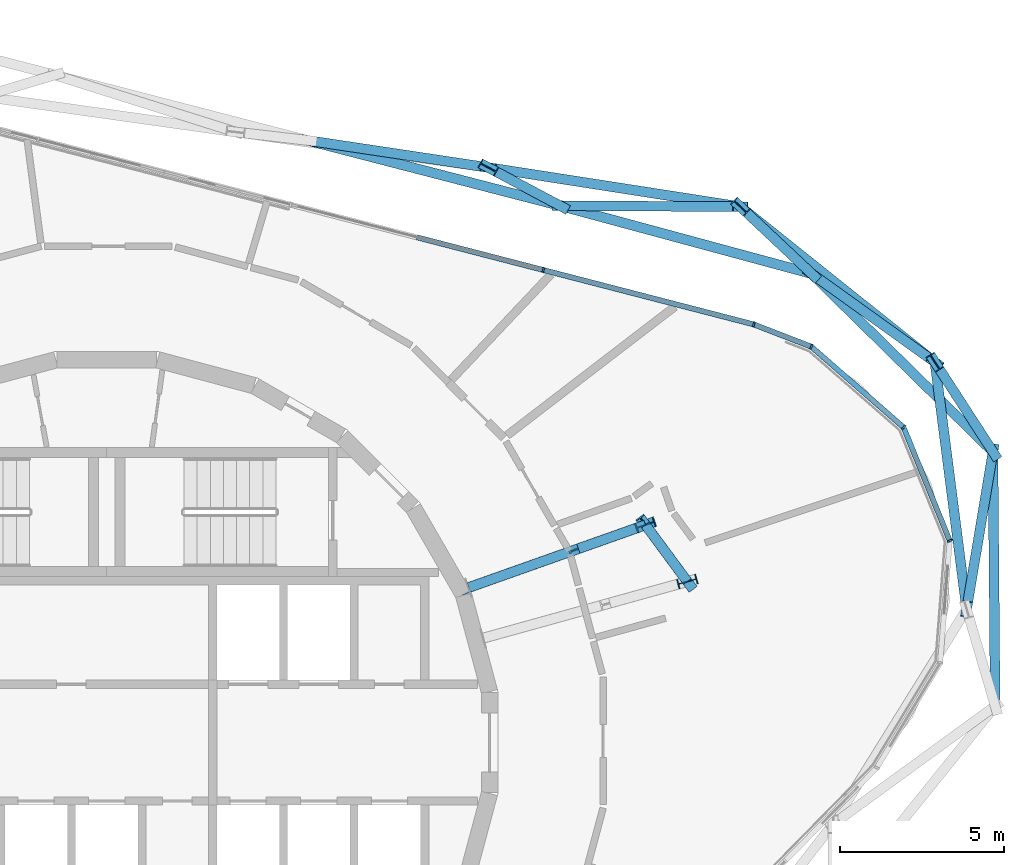
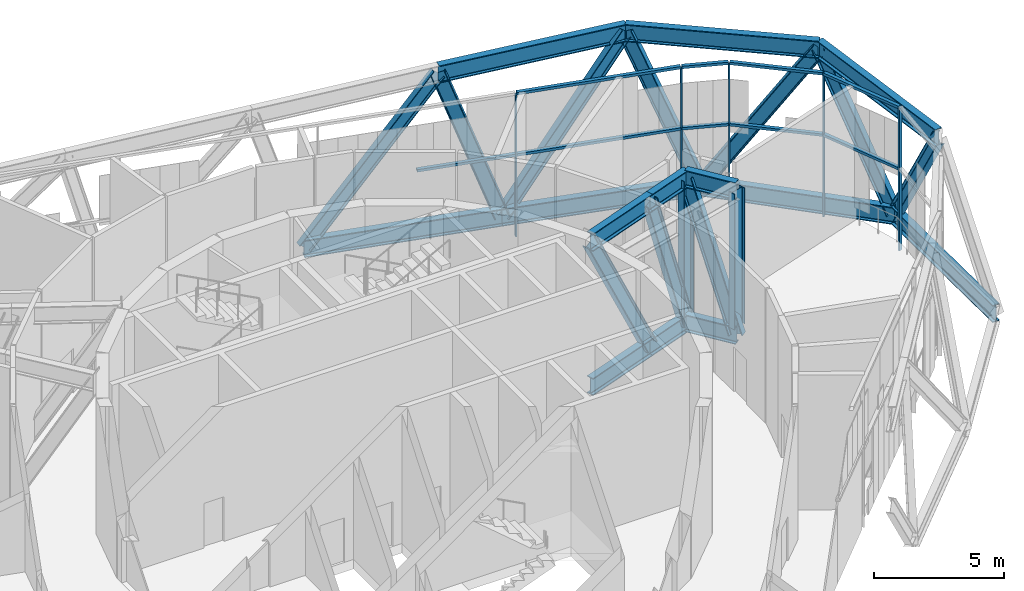
# One storey, part 7 of 23: 39 members, 2 elements without a shape of their own.
"""IFC4 building model written with IfcOpenShell, lengths in metres."""

import ifcopenshell
import ifcopenshell.guid

model = None  # the IFC model being written
_history = None  # IfcOwnerHistory: only IFC2X3 demands one
_inside = {}  # id of a spatial element -> (the spatial element, [elements in it])
_under = {}  # id of a project, library or spatial element -> (it, [spatial elements below it])
_declared = {}  # id of a project -> (the project, [libraries it declares])
_typed = {}  # id of a type object -> (the type object, [elements of that type])
_made_of = {}  # id of a material, layer set ... -> (it, [elements and type objects made of it])


def new_model(schema):
    """Start an empty IFC model of exactly this schema.

    Asked for "IFC4X3", IfcOpenShell would pick the latest addendum, in which some entities
    have other attributes; the version numbers below select the first issue.
    IFC2X3 requires an IfcOwnerHistory on every rooted entity: one is made here for all.
    """
    global model, _history
    if schema == "IFC4X3":
        model = ifcopenshell.file(schema_version=(4, 3, 0, 0))
    else:
        model = ifcopenshell.file(schema=schema)
    _inside.clear()
    _under.clear()
    _declared.clear()
    _typed.clear()
    _made_of.clear()
    _history = None
    if model.schema == "IFC2X3":
        org = make("IfcOrganization", Name="unknown")
        user = make(
            "IfcPersonAndOrganization",
            ThePerson=make("IfcPerson", FamilyName="unknown"),
            TheOrganization=org,
        )
        app = make(
            "IfcApplication",
            ApplicationDeveloper=org,
            Version="unknown",
            ApplicationFullName="unknown",
            ApplicationIdentifier="unknown",
        )
        _history = make(
            "IfcOwnerHistory",
            OwningUser=user,
            OwningApplication=app,
            ChangeAction="ADDED",
            CreationDate=0,
        )
    return model


def make(cls, **values):
    """One entity of the class cls with the attributes given. An attribute that is None is left unset."""
    return model.create_entity(
        cls, **{name: value for name, value in values.items() if value is not None}
    )


def rooted(cls, **values):
    """An entity with a GlobalId (a new one), such as an element, a storey or a relation."""
    return make(cls, GlobalId=ifcopenshell.guid.new(), OwnerHistory=_history, **values)


def si_unit(unit_type, name, prefix=None):
    """IfcSIUnit, for example si_unit("LENGTHUNIT", "METRE", prefix="MILLI")."""
    return make("IfcSIUnit", UnitType=unit_type, Prefix=prefix, Name=name)


def assignment(units):
    """IfcUnitAssignment: the units of a project."""
    return None if units is None else make("IfcUnitAssignment", Units=units)


def point(xyz):
    """IfcCartesianPoint."""
    return None if xyz is None else make("IfcCartesianPoint", Coordinates=xyz)


def direction(xyz):
    """IfcDirection."""
    return None if xyz is None else make("IfcDirection", DirectionRatios=xyz)


def frame(location, z_axis=None, x_axis=None):
    """IfcAxis2Placement3D, a coordinate frame: its origin and axes. An axis left out is left unset."""
    return make(
        "IfcAxis2Placement3D",
        Location=point(location),
        Axis=direction(z_axis),
        RefDirection=direction(x_axis),
    )


def frame_2d(location, x_axis=None):
    """IfcAxis2Placement2D, a coordinate frame in the plane: its origin and x axis."""
    return make(
        "IfcAxis2Placement2D", Location=point(location), RefDirection=direction(x_axis)
    )


def origin():
    """The frame at (0, 0, 0) with its axes left unset."""
    return frame((0.0, 0.0, 0.0))


def origin_2d():
    """The frame at (0, 0) in the plane with its x axis left unset."""
    return frame_2d((0.0, 0.0))


def place(relative_to, where):
    """IfcLocalPlacement: puts the frame where relative to a parent placement (None: the world)."""
    return make(
        "IfcLocalPlacement", PlacementRelTo=relative_to, RelativePlacement=where
    )


def context(
    kind, dimensions, precision=None, world=None, true_north=None, identifier=None
):
    """IfcGeometricRepresentationContext, for example the 3D "Model" context."""
    return make(
        "IfcGeometricRepresentationContext",
        ContextIdentifier=identifier,
        ContextType=kind,
        CoordinateSpaceDimension=dimensions,
        Precision=precision,
        WorldCoordinateSystem=world,
        TrueNorth=true_north,
    )


def subcontext(parent, identifier, kind, view, scale=None):
    """IfcGeometricRepresentationSubContext, for example "Body" below "Model"."""
    return make(
        "IfcGeometricRepresentationSubContext",
        ContextIdentifier=identifier,
        ContextType=kind,
        ParentContext=parent,
        TargetScale=scale,
        TargetView=view,
    )


def project(units=None, contexts=None):
    """IfcProject with its units and contexts."""
    return rooted(
        "IfcProject",
        Name="project",
        RepresentationContexts=contexts,
        UnitsInContext=assignment(units),
    )


def spatial(cls, under=None, at=None, **own):
    """A site, building, storey or space (cls), placed at a placement, below another one or the project."""
    s = rooted(cls, ObjectPlacement=at, **own)
    if under is not None:
        _under.setdefault(under.id(), (under, []))[1].append(s)
    return s


def profile(cls, at=None, kind="AREA", **sizes):
    """A parametric profile (cls). Its sizes go by their IFC names, for example OverallWidth=200.0."""
    return make(cls, ProfileType=kind, Position=at, **sizes)


def rectangle(**sizes):
    """IfcRectangleProfileDef."""
    return profile("IfcRectangleProfileDef", **sizes)


def i_section(**sizes):
    """IfcIShapeProfileDef."""
    return profile("IfcIShapeProfileDef", **sizes)


def extrude(swept, where, along, depth):
    """IfcExtrudedAreaSolid: the profile swept, set in the frame where, extruded along a direction by depth."""
    return make(
        "IfcExtrudedAreaSolid",
        SweptArea=swept,
        Position=where,
        ExtrudedDirection=direction(along),
        Depth=depth,
    )


def shape(context_of_items, identifier, shape_type, items):
    """IfcShapeRepresentation: the items that make up one representation, for example the "Body"."""
    return make(
        "IfcShapeRepresentation",
        ContextOfItems=context_of_items,
        RepresentationIdentifier=identifier,
        RepresentationType=shape_type,
        Items=items,
    )


def material(Name=None, Category=None):
    """IfcMaterial."""
    return make("IfcMaterial", Name=Name, Category=Category)


def layer(
    of_material, thickness, ventilated=None, Name=None, Category=None, Priority=None
):
    """IfcMaterialLayer: one layer of a wall or slab, of a material (None: an air gap)."""
    return make(
        "IfcMaterialLayer",
        Material=of_material,
        LayerThickness=thickness,
        IsVentilated=ventilated,
        Name=Name,
        Category=Category,
        Priority=Priority,
    )


def layer_set(layers, Name=None):
    """IfcMaterialLayerSet."""
    return make("IfcMaterialLayerSet", MaterialLayers=layers, LayerSetName=Name)


def material_profile(
    of_material, cross_section, Name=None, Category=None, Priority=None
):
    """IfcMaterialProfile: a cross section and its material."""
    return make(
        "IfcMaterialProfile",
        Name=Name,
        Material=of_material,
        Profile=cross_section,
        Priority=Priority,
        Category=Category,
    )


def profile_set(profiles, Name=None, composite=None):
    """IfcMaterialProfileSet."""
    return make(
        "IfcMaterialProfileSet",
        Name=Name,
        MaterialProfiles=profiles,
        CompositeProfile=composite,
    )


def made_of(thing, what):
    """Note that an element or type object is made of a material, layer set ...; save() writes the relation."""
    if what is not None:
        _made_of.setdefault(what.id(), (what, []))[1].append(thing)
    return thing


def type_object(cls, material=None, **own):
    """A type object (cls), such as IfcWallType, which elements share."""
    return made_of(rooted(cls, **own), material)


def element(
    cls,
    number,
    at=None,
    inside=None,
    cuts=None,
    type_object=None,
    material=None,
    context=None,
    identifier="Body",
    shape_type=None,
    held_by="IfcProductDefinitionShape",
    body=None,
    shapes=None,
    **own,
):
    """One element of the class cls, such as IfcWall. Its Tag is "e" and its number.

    at: its placement. inside: the storey or other place that contains it. cuts: it is an
    opening in that element (IfcRelVoidsElement). A single representation is given by context,
    identifier, shape_type and body (its items); several are given by shapes. held_by: the class
    of the entity that holds the representations. save() writes the other relations.
    """
    e = rooted(cls, Tag="e%d" % number, ObjectPlacement=at, **own)
    if body is not None:
        shapes = [shape(context, identifier, shape_type, body)]
    if shapes is not None:
        e.Representation = make(held_by, Representations=shapes)
    if inside is not None:
        _inside.setdefault(inside.id(), (inside, []))[1].append(e)
    if cuts is not None:
        rooted(
            "IfcRelVoidsElement", RelatingBuildingElement=cuts, RelatedOpeningElement=e
        )
    if type_object is not None:
        _typed.setdefault(type_object.id(), (type_object, []))[1].append(e)
    return made_of(e, material)


def aggregate(whole, parts):
    """IfcRelAggregates: a whole, such as a stair, and the parts it consists of."""
    return rooted("IfcRelAggregates", RelatingObject=whole, RelatedObjects=parts)


def save(model, path):
    """Write the relations noted so far, then the file.

    IfcRelAggregates (storeys below a building ...), IfcRelContainedInSpatialStructure (elements
    in a storey), IfcRelDefinesByType, IfcRelAssociatesMaterial and IfcRelDeclares: one each for
    every whole, place, type object, material and project.
    """
    for whole, parts in _under.values():
        aggregate(whole, parts)
    for where, things in _inside.values():
        rooted(
            "IfcRelContainedInSpatialStructure",
            RelatedElements=things,
            RelatingStructure=where,
        )
    for kind, things in _typed.values():
        rooted("IfcRelDefinesByType", RelatedObjects=things, RelatingType=kind)
    for what, things in _made_of.values():
        rooted("IfcRelAssociatesMaterial", RelatedObjects=things, RelatingMaterial=what)
    for by, libraries in _declared.values():
        rooted("IfcRelDeclares", RelatingContext=by, RelatedDefinitions=libraries)
    model.write(path)


model = new_model("IFC4")

# Units and contexts
model_context = context("Model", 3, precision=1e-05, world=origin(), true_north=direction((0.0, 1.0)))
body_context = subcontext(model_context, "Body", "Model", "MODEL_VIEW")
ifc_project = project(units=[si_unit("LENGTHUNIT", "METRE"), si_unit("AREAUNIT", "SQUARE_METRE"), si_unit("VOLUMEUNIT", "CUBIC_METRE"), si_unit("PLANEANGLEUNIT", "RADIAN"), si_unit("MASSUNIT", "GRAM", prefix="KILO")], contexts=[model_context])

# Site, building, storey
site_placement = place(None, origin())
site = spatial("IfcSite", under=ifc_project, at=site_placement, CompositionType="ELEMENT")
building_placement = place(site_placement, origin())
building = spatial("IfcBuilding", under=site, at=building_placement, Name="Spindle Arch Residences", CompositionType="ELEMENT")
storey_placement = place(building_placement, frame((0.0, 0.0, 326.199951171875)))
storey = spatial("IfcBuildingStorey", under=building, at=storey_placement, Name="L84", CompositionType="ELEMENT", Elevation=326.199951171875)

# Members
ifc_material_1 = material(Name="Steel S460ML, intumescent coating R 240", Category="steel")
ifc_material_profile_1 = material_profile(ifc_material_1, i_section(OverallWidth=0.302978515625, OverallDepth=0.81396484375, WebThickness=0.02099609375, FlangeThickness=0.0400390625, FilletRadius=0.030029296875, at=origin_2d()), Name="HEM 800")
ifc_profile_set_1 = profile_set([ifc_material_profile_1], Name="Steel S460ML, intumescent coating R 240")
member_type_1 = type_object("IfcMemberType", Name="Belt truss chord HEM 800", PredefinedType="CHORD", material=ifc_profile_set_1)
for number, where, z_axis, x_axis, name in (
    (1, (27.0263671875, 1.11279296875, -0.85693359375), (-0.00861928072, 0.99996285331, 0.0), (-0.99996285331, -0.00861928072, 0.0), "Belt truss bottom chord L84.3"),
    (2, (26.959716796875, 8.84521484375, -0.85693359375), (-0.713393196392, 0.700763974061, 0.0), (-0.700763974061, -0.713393196392, 0.0), "Belt truss bottom chord L84.4"),
):
    element("IfcMember", number, at=place(storey_placement, frame(where, z_axis=z_axis, x_axis=x_axis)), inside=storey, type_object=member_type_1, Name=name, PredefinedType="CHORD", context=body_context, shape_type="SweptSolid", body=[
        extrude(i_section(OverallWidth=0.302978515625, OverallDepth=0.81396484375, WebThickness=0.02099609375, FlangeThickness=0.0400390625, FilletRadius=0.030029296875, at=origin_2d()), origin(), (0.0, 0.0, 1.0), 7.732666015625),
    ])
member_1_placement = place(storey_placement, frame((21.443359375, 14.263916015625, -0.85693359375), z_axis=(-0.965377011085, 0.260858633113, 0.0), x_axis=(-0.260858633113, -0.965377011085, 0.0)))
element("IfcMember", 3, at=member_1_placement, inside=storey, type_object=member_type_1, Name="Belt truss bottom chord L84.5", PredefinedType="CHORD", context=body_context, shape_type="SweptSolid", body=[
    extrude(i_section(OverallWidth=0.302978515625, OverallDepth=0.81396484375, WebThickness=0.02099609375, FlangeThickness=0.0400390625, FilletRadius=0.030029296875, at=origin_2d()), origin(), (0.0, 0.0, 1.0), 7.931884765625),
])
member_2_placement = place(storey_placement, frame((13.7861328125, 16.3330078125, -0.85693359375), z_axis=(-0.968145111287, 0.25038978312, 0.0), x_axis=(-0.25038978312, -0.968145111287, 0.0)))
element("IfcMember", 4, at=member_2_placement, inside=storey, type_object=member_type_1, Name="Belt truss bottom chord L84.6", PredefinedType="CHORD", context=body_context, shape_type="SweptSolid", body=[
    extrude(i_section(OverallWidth=0.302978515625, OverallDepth=0.81396484375, WebThickness=0.02099609375, FlangeThickness=0.0400390625, FilletRadius=0.030029296875, at=origin_2d()), origin(), (0.0, 0.0, 1.0), 7.934814453125),
])
for number, where, z_axis, x_axis, name in (
    (5, (26.15869140625, 4.05712890625, 5.943115234375), (-0.127361866573, 0.991856317691, 0.0), (-0.991856317691, -0.127361866573, 0.0), "Belt truss top chord L84.3"),
    (6, (25.19384765625, 11.571044921875, 5.943115234375), (-0.781167403691, 0.62432162177, 0.0), (-0.62432162177, -0.781167403691, 0.0), "Belt truss top chord L84.4"),
):
    element("IfcMember", number, at=place(storey_placement, frame(where, z_axis=z_axis, x_axis=x_axis)), inside=storey, type_object=member_type_1, Name=name, PredefinedType="CHORD", context=body_context, shape_type="SweptSolid", body=[
        extrude(i_section(OverallWidth=0.302978515625, OverallDepth=0.81396484375, WebThickness=0.02099609375, FlangeThickness=0.0400390625, FilletRadius=0.030029296875, at=origin_2d()), origin(), (0.0, 0.0, 1.0), 7.57568359375),
    ])
member_3_placement = place(storey_placement, frame((19.27587890625, 16.30078125, 5.943115234375), z_axis=(-0.988126023047, 0.153645574548, 0.0), x_axis=(-0.153645574548, -0.988126023047, 0.0)))
element("IfcMember", 7, at=member_3_placement, inside=storey, type_object=member_type_1, Name="Belt truss top chord L84.5", PredefinedType="CHORD", context=body_context, shape_type="SweptSolid", body=[
    extrude(i_section(OverallWidth=0.302978515625, OverallDepth=0.81396484375, WebThickness=0.02099609375, FlangeThickness=0.0400390625, FilletRadius=0.030029296875, at=origin_2d()), origin(), (0.0, 0.0, 1.0), 7.760498046875),
])
ifc_material_2 = material(Name="Steel S460ML, intumescent coating R 240", Category="steel")
ifc_material_profile_2 = material_profile(ifc_material_2, i_section(OverallWidth=0.300048828125, OverallDepth=0.60009765625, WebThickness=0.015380859375, FlangeThickness=0.030029296875, FilletRadius=0.027099609375, at=origin_2d()), Name="HEB 600")
ifc_profile_set_2 = profile_set([ifc_material_profile_2], Name="Steel S460ML, intumescent coating R 240")
member_type_2 = type_object("IfcMemberType", Name="Belt truss diagonal HEB 600", PredefinedType="BRACE", material=ifc_profile_set_2)
member_4_placement = place(storey_placement, frame((26.959716796875, 8.84521484375, -0.85693359375), z_axis=(-0.095872368913, -0.573071898542, 0.813877808999), x_axis=(0.986293158645, -0.165002440012, 0.0)))
element("IfcMember", 8, at=member_4_placement, inside=storey, type_object=member_type_2, Name="Belt truss diagonal L84.3.4", PredefinedType="BRACE", context=body_context, shape_type="SweptSolid", body=[
    extrude(i_section(OverallWidth=0.300048828125, OverallDepth=0.60009765625, WebThickness=0.015380859375, FlangeThickness=0.030029296875, FilletRadius=0.027099609375, at=origin_2d()), origin(), (0.0, 0.0, 1.0), 8.355224609375),
])
member_5_placement = place(storey_placement, frame((26.959716796875, 8.84521484375, -0.85693359375), z_axis=(-0.234328976407, 0.361714782468, 0.902359322532), x_axis=(-0.83927558655, -0.543706253248, 0.0)))
element("IfcMember", 9, at=member_5_placement, inside=storey, type_object=member_type_2, Name="Belt truss diagonal L84.4.4", PredefinedType="BRACE", context=body_context, shape_type="SweptSolid", body=[
    extrude(i_section(OverallWidth=0.300048828125, OverallDepth=0.60009765625, WebThickness=0.015380859375, FlangeThickness=0.030029296875, FilletRadius=0.027099609375, at=origin_2d()), origin(), (0.0, 0.0, 1.0), 7.535888671875),
])
member_6_placement = place(storey_placement, frame((21.443359375, 14.263916015625, -0.85693359375), z_axis=(0.456297611717, -0.327624180265, 0.827317886938), x_axis=(0.583237201498, 0.812301893872, 0.0)))
element("IfcMember", 10, at=member_6_placement, inside=storey, type_object=member_type_2, Name="Belt truss diagonal L84.4.5", PredefinedType="BRACE", context=body_context, shape_type="SweptSolid", body=[
    extrude(i_section(OverallWidth=0.300048828125, OverallDepth=0.60009765625, WebThickness=0.015380859375, FlangeThickness=0.030029296875, FilletRadius=0.027099609375, at=origin_2d()), origin(), (0.0, 0.0, 1.0), 8.219482421875),
])
member_7_placement = place(storey_placement, frame((21.443359375, 14.263916015625, -0.85693359375), z_axis=(-0.29203091948, 0.274432750757, 0.91619026811), x_axis=(-0.684808903269, -0.72872269486, 0.0)))
element("IfcMember", 11, at=member_7_placement, inside=storey, type_object=member_type_2, Name="Belt truss diagonal L84.5.5", PredefinedType="BRACE", context=body_context, shape_type="SweptSolid", body=[
    extrude(i_section(OverallWidth=0.300048828125, OverallDepth=0.60009765625, WebThickness=0.015380859375, FlangeThickness=0.030029296875, FilletRadius=0.027099609375, at=origin_2d()), origin(), (0.0, 0.0, 1.0), 7.422119140625),
])
member_8_placement = place(storey_placement, frame((13.7861328125, 16.3330078125, -0.85693359375), z_axis=(0.628152702095, -0.003687456937, 0.778081348904), x_axis=(0.005870218165, 0.999982770121, 0.0)))
element("IfcMember", 12, at=member_8_placement, inside=storey, type_object=member_type_2, Name="Belt truss diagonal L84.5.6", PredefinedType="BRACE", context=body_context, shape_type="SweptSolid", body=[
    extrude(i_section(OverallWidth=0.300048828125, OverallDepth=0.60009765625, WebThickness=0.015380859375, FlangeThickness=0.030029296875, FilletRadius=0.027099609375, at=origin_2d()), origin(), (0.0, 0.0, 1.0), 8.739501953125),
])
member_9_placement = place(storey_placement, frame((13.7861328125, 16.3330078125, -0.85693359375), z_axis=(-0.301168887876, 0.160371420348, 0.939988461903), x_axis=(-0.470013165588, -0.882659404399, 0.0)))
element("IfcMember", 13, at=member_9_placement, inside=storey, type_object=member_type_2, Name="Belt truss diagonal L84.6.6", PredefinedType="BRACE", context=body_context, shape_type="SweptSolid", body=[
    extrude(i_section(OverallWidth=0.300048828125, OverallDepth=0.60009765625, WebThickness=0.015380859375, FlangeThickness=0.030029296875, FilletRadius=0.027099609375, at=origin_2d()), origin(), (0.0, 0.0, 1.0), 7.234130859375),
])
member_10_placement = place(storey_placement, frame((6.10400390625, 18.31982421875, -0.85693359375), z_axis=(0.626312540778, -0.094077467087, 0.773874687175), x_axis=(0.148542099344, 0.988906084885, 0.0)))
element("IfcMember", 14, at=member_10_placement, inside=storey, type_object=member_type_2, Name="Belt truss diagonal L84.6.7", PredefinedType="BRACE", context=body_context, shape_type="SweptSolid", body=[
    extrude(i_section(OverallWidth=0.300048828125, OverallDepth=0.60009765625, WebThickness=0.015380859375, FlangeThickness=0.030029296875, FilletRadius=0.027099609375, at=origin_2d()), origin(), (0.0, 0.0, 1.0), 8.787109375),
])

# Curtain wall, members
ifc_material_3 = material(Name="Aluminium bronze unitised frame with tinted glass", Category="aluminium")
ifc_layer = layer(ifc_material_3, 0.159912109375)
ifc_layer_set = layer_set([ifc_layer], Name="CW-E double-height winter garden wall")
curtain_wall_type = type_object("IfcCurtainWallType", Name="CW-E double-height winter garden wall", PredefinedType="NOTDEFINED", material=ifc_layer_set)
curtain_wall_1_placement = place(storey_placement, origin())
curtain_wall_1 = element("IfcCurtainWall", 15, at=curtain_wall_1_placement, inside=storey, type_object=curtain_wall_type, Name="CW-E L84 run 1", PredefinedType="NOTDEFINED")
ifc_material_4 = material(Name="Aluminium bronze anodised mullion", Category="aluminium")
ifc_material_profile_3 = material_profile(ifc_material_4, rectangle(XDim=0.159912109375, YDim=0.06005859375, at=origin_2d()), Name="MU 60x160")
ifc_profile_set_3 = profile_set([ifc_material_profile_3], Name="Aluminium bronze anodised mullion")
member_type_3 = type_object("IfcMemberType", Name="Bronze mullion 60x160", PredefinedType="MULLION", material=ifc_profile_set_3)
member_11_placement = place(storey_placement, frame((25.646728515625, 6.13916015625, -0.449951171875), z_axis=(0.0, 0.0, 1.0), x_axis=(-0.926090247396, -0.377302072189, 0.0)))
member_11 = element("IfcMember", 16, at=member_11_placement, type_object=member_type_3, Name="CW-E mullion 03", PredefinedType="MULLION", context=body_context, shape_type="SweptSolid", body=[
    extrude(rectangle(XDim=0.159912109375, YDim=0.06005859375, at=origin_2d()), origin(), (0.0, 0.0, 1.0), 6.679931640625),
])
member_12_placement = place(storey_placement, frame((24.24072265625, 9.59033203125, -0.449951171875), z_axis=(0.0, 0.0, 1.0), x_axis=(-0.658251611308, -0.752797991635, 0.0)))
member_12 = element("IfcMember", 17, at=member_12_placement, type_object=member_type_3, Name="CW-E mullion 04", PredefinedType="MULLION", context=body_context, shape_type="SweptSolid", body=[
    extrude(rectangle(XDim=0.159912109375, YDim=0.06005859375, at=origin_2d()), origin(), (0.0, 0.0, 1.0), 6.679931640625),
])
member_13_placement = place(storey_placement, frame((21.435302734375, 12.04345703125, -0.449951171875), z_axis=(0.0, 0.0, 1.0), x_axis=(-0.361082099353, -0.932534030225, 0.0)))
member_13 = element("IfcMember", 18, at=member_13_placement, type_object=member_type_3, Name="CW-E mullion 05", PredefinedType="MULLION", context=body_context, shape_type="SweptSolid", body=[
    extrude(rectangle(XDim=0.159912109375, YDim=0.06005859375, at=origin_2d()), origin(), (0.0, 0.0, 1.0), 6.679931640625),
])
member_14_placement = place(storey_placement, frame((19.685791015625, 12.720947265625, -0.449951171875), z_axis=(0.0, 0.0, 1.0), x_axis=(-0.250380004054, -0.968147640378, 0.0)))
member_14 = element("IfcMember", 19, at=member_14_placement, type_object=member_type_3, Name="CW-E mullion 06", PredefinedType="MULLION", context=body_context, shape_type="SweptSolid", body=[
    extrude(rectangle(XDim=0.159912109375, YDim=0.06005859375, at=origin_2d()), origin(), (0.0, 0.0, 1.0), 6.679931640625),
])

# Curtain wall, member
curtain_wall_2_placement = place(storey_placement, origin())
curtain_wall_2 = element("IfcCurtainWall", 20, at=curtain_wall_2_placement, inside=storey, type_object=curtain_wall_type, Name="CW-E L84 run 2", PredefinedType="NOTDEFINED")
member_15_placement = place(storey_placement, frame((13.280517578125, 14.37744140625, -0.449951171875), z_axis=(0.0, 0.0, 1.0), x_axis=(-0.250380004054, -0.968147640378, 0.0)))
member_15 = element("IfcMember", 21, at=member_15_placement, type_object=member_type_3, Name="CW-E mullion 05", PredefinedType="MULLION", context=body_context, shape_type="SweptSolid", body=[
    extrude(rectangle(XDim=0.159912109375, YDim=0.06005859375, at=origin_2d()), origin(), (0.0, 0.0, 1.0), 6.679931640625),
])

# Member
ifc_material_5 = material(Name="Aluminium bronze anodised transom", Category="aluminium")
ifc_material_profile_4 = material_profile(ifc_material_5, rectangle(XDim=0.159912109375, YDim=0.1201171875, at=origin_2d()), Name="TR 120x160")
ifc_profile_set_4 = profile_set([ifc_material_profile_4], Name="Aluminium bronze anodised transom")
member_type_4 = type_object("IfcMemberType", Name="Bronze transom 120x160", PredefinedType="USERDEFINED", material=ifc_profile_set_4)
member_16_placement = place(storey_placement, frame((25.635498046875, 6.166748046875, 6.2900390625), z_axis=(-0.377318036671, 0.926083743083, 0.0), x_axis=(-0.926083743083, -0.377318036671, 0.0)))
member_16 = element("IfcMember", 22, at=member_16_placement, type_object=member_type_4, Name="CW-E transom 03", ObjectType="TRANSOM", PredefinedType="USERDEFINED", context=body_context, shape_type="SweptSolid", body=[
    extrude(rectangle(XDim=0.159912109375, YDim=0.1201171875, at=origin_2d()), origin(), (0.0, 0.0, 1.0), 3.666748046875),
])

member_17_placement = place(storey_placement, frame((25.635498046875, 6.166748046875, 3.400146484375), z_axis=(-0.377318036671, 0.926083743083, 0.0), x_axis=(-0.926083743083, -0.377318036671, 0.0)))
member_17 = element("IfcMember", 23, at=member_17_placement, type_object=member_type_4, Name="CW-E transom 03m", ObjectType="TRANSOM", PredefinedType="USERDEFINED", context=body_context, shape_type="SweptSolid", body=[
    extrude(rectangle(XDim=0.159912109375, YDim=0.1201171875, at=origin_2d()), origin(), (0.0, 0.0, 1.0), 3.666748046875),
])

member_18_placement = place(storey_placement, frame((24.218017578125, 9.610107421875, 6.2900390625), z_axis=(-0.752799384177, 0.658250018749, 0.0), x_axis=(-0.658250018749, -0.752799384177, 0.0)))
member_18 = element("IfcMember", 24, at=member_18_placement, type_object=member_type_4, Name="CW-E transom 04", ObjectType="TRANSOM", PredefinedType="USERDEFINED", context=body_context, shape_type="SweptSolid", body=[
    extrude(rectangle(XDim=0.159912109375, YDim=0.1201171875, at=origin_2d()), origin(), (0.0, 0.0, 1.0), 3.666748046875),
])

member_19_placement = place(storey_placement, frame((24.218017578125, 9.610107421875, 3.400146484375), z_axis=(-0.752799384177, 0.658250018749, 0.0), x_axis=(-0.658250018749, -0.752799384177, 0.0)))
member_19 = element("IfcMember", 25, at=member_19_placement, type_object=member_type_4, Name="CW-E transom 04m", ObjectType="TRANSOM", PredefinedType="USERDEFINED", context=body_context, shape_type="SweptSolid", body=[
    extrude(rectangle(XDim=0.159912109375, YDim=0.1201171875, at=origin_2d()), origin(), (0.0, 0.0, 1.0), 3.666748046875),
])

member_20_placement = place(storey_placement, frame((21.4072265625, 12.054443359375, 6.2900390625), z_axis=(-0.932581237084, 0.360960158796, 0.0), x_axis=(-0.360960158796, -0.932581237084, 0.0)))
member_20 = element("IfcMember", 26, at=member_20_placement, type_object=member_type_4, Name="CW-E transom 05", ObjectType="TRANSOM", PredefinedType="USERDEFINED", context=body_context, shape_type="SweptSolid", body=[
    extrude(rectangle(XDim=0.159912109375, YDim=0.1201171875, at=origin_2d()), origin(), (0.0, 0.0, 1.0), 1.81591796875),
])

member_21_placement = place(storey_placement, frame((21.4072265625, 12.054443359375, 3.400146484375), z_axis=(-0.932581237084, 0.360960158796, 0.0), x_axis=(-0.360960158796, -0.932581237084, 0.0)))
member_21 = element("IfcMember", 27, at=member_21_placement, type_object=member_type_4, Name="CW-E transom 05m", ObjectType="TRANSOM", PredefinedType="USERDEFINED", context=body_context, shape_type="SweptSolid", body=[
    extrude(rectangle(XDim=0.159912109375, YDim=0.1201171875, at=origin_2d()), origin(), (0.0, 0.0, 1.0), 1.81591796875),
])

member_22_placement = place(storey_placement, frame((19.65673828125, 12.728515625, 6.2900390625), z_axis=(-0.968152514415, 0.250361156797, 0.0), x_axis=(-0.250361156797, -0.968152514415, 0.0)))
member_22 = element("IfcMember", 28, at=member_22_placement, type_object=member_type_4, Name="CW-E transom 06", ObjectType="TRANSOM", PredefinedType="USERDEFINED", context=body_context, shape_type="SweptSolid", body=[
    extrude(rectangle(XDim=0.159912109375, YDim=0.1201171875, at=origin_2d()), origin(), (0.0, 0.0, 1.0), 6.555908203125),
])

member_23_placement = place(storey_placement, frame((19.65673828125, 12.728515625, 3.400146484375), z_axis=(-0.968152514415, 0.250361156797, 0.0), x_axis=(-0.250361156797, -0.968152514415, 0.0)))
member_23 = element("IfcMember", 29, at=member_23_placement, type_object=member_type_4, Name="CW-E transom 06m", ObjectType="TRANSOM", PredefinedType="USERDEFINED", context=body_context, shape_type="SweptSolid", body=[
    extrude(rectangle(XDim=0.159912109375, YDim=0.1201171875, at=origin_2d()), origin(), (0.0, 0.0, 1.0), 6.555908203125),
])

aggregate(curtain_wall_1, [member_11, member_16, member_17, member_12, member_18, member_19, member_13, member_20, member_21, member_14, member_22, member_23])

member_24_placement = place(storey_placement, frame((13.25146484375, 14.385009765625, 3.400146484375), z_axis=(-0.968152353136, 0.250361780465, 0.0), x_axis=(-0.250361780465, -0.968152353136, 0.0)))
member_24 = element("IfcMember", 30, at=member_24_placement, type_object=member_type_4, Name="CW-E transom 05Am", ObjectType="TRANSOM", PredefinedType="USERDEFINED", context=body_context, shape_type="SweptSolid", body=[
    extrude(rectangle(XDim=0.159912109375, YDim=0.1201171875, at=origin_2d()), origin(), (0.0, 0.0, 1.0), 3.937744140625),
])

aggregate(curtain_wall_2, [member_15, member_24])

# Members
ifc_material_6 = material(Name="Steel S460ML, intumescent coating R 240", Category="steel")
ifc_material_profile_5 = material_profile(ifc_material_6, i_section(OverallWidth=0.302978515625, OverallDepth=0.81396484375, WebThickness=0.02099609375, FlangeThickness=0.0400390625, FilletRadius=0.030029296875, at=origin_2d()), Name="HEM 800")
ifc_profile_set_5 = profile_set([ifc_material_profile_5], Name="Steel S460ML, intumescent coating R 240")
member_type_5 = type_object("IfcMemberType", Name="Transfer truss chord HEM 800", PredefinedType="CHORD", material=ifc_profile_set_5)
for number, where, z_axis, x_axis, name in (
    (31, (17.66259765625, 4.898193359375, -0.85693359375), (-0.594077057201, 0.804408136525, 0.0), (-0.804408136525, -0.594077057201, 0.0), "Transfer truss chord L84"),
    (32, (17.66259765625, 4.898193359375, 5.943115234375), (-0.594077057201, 0.804408136525, 0.0), (-0.804408136525, -0.594077057201, 0.0), "Transfer truss chord L84"),
):
    element("IfcMember", number, at=place(storey_placement, frame(where, z_axis=z_axis, x_axis=x_axis)), inside=storey, type_object=member_type_5, Name=name, PredefinedType="CHORD", context=body_context, shape_type="SweptSolid", body=[
        extrude(i_section(OverallWidth=0.302978515625, OverallDepth=0.81396484375, WebThickness=0.02099609375, FlangeThickness=0.0400390625, FilletRadius=0.030029296875, at=origin_2d()), origin(), (0.0, 0.0, 1.0), 2.142822265625),
    ])
for number, where, z_axis, x_axis, name in (
    (33, (11.014404296875, 4.71728515625, -0.85693359375), (0.942577871851, 0.33398646005, 0.0), (-0.33398646005, 0.942577871851, 0.0), "Transfer truss chord L84"),
    (34, (11.014404296875, 4.71728515625, 5.943115234375), (0.942577871851, 0.33398646005, 0.0), (-0.33398646005, 0.942577871851, 0.0), "Transfer truss chord L84"),
):
    element("IfcMember", number, at=place(storey_placement, frame(where, z_axis=z_axis, x_axis=x_axis)), inside=storey, type_object=member_type_5, Name=name, PredefinedType="CHORD", context=body_context, shape_type="SweptSolid", body=[
        extrude(i_section(OverallWidth=0.302978515625, OverallDepth=0.81396484375, WebThickness=0.02099609375, FlangeThickness=0.0400390625, FilletRadius=0.030029296875, at=origin_2d()), origin(), (0.0, 0.0, 1.0), 3.535888671875),
    ])
for number, where, z_axis, x_axis, name in (
    (35, (14.34716796875, 5.898193359375, -0.85693359375), (0.942590285804, 0.333951423276, 0.0), (-0.333951423276, 0.942590285804, 0.0), "Transfer truss chord L84"),
    (36, (14.34716796875, 5.898193359375, 5.943115234375), (0.942590285804, 0.333951423276, 0.0), (-0.333951423276, 0.942590285804, 0.0), "Transfer truss chord L84"),
):
    element("IfcMember", number, at=place(storey_placement, frame(where, z_axis=z_axis, x_axis=x_axis)), inside=storey, type_object=member_type_5, Name=name, PredefinedType="CHORD", context=body_context, shape_type="SweptSolid", body=[
        extrude(i_section(OverallWidth=0.302978515625, OverallDepth=0.81396484375, WebThickness=0.02099609375, FlangeThickness=0.0400390625, FilletRadius=0.030029296875, at=origin_2d()), origin(), (0.0, 0.0, 1.0), 2.1669921875),
    ])
ifc_material_7 = material(Name="Steel S460ML, intumescent coating R 240", Category="steel")
ifc_material_profile_6 = material_profile(ifc_material_7, i_section(OverallWidth=0.304931640625, OverallDepth=0.6201171875, WebThickness=0.02099609375, FlangeThickness=0.0400390625, FilletRadius=0.027099609375, at=origin_2d()), Name="HEM 600")
ifc_profile_set_6 = profile_set([ifc_material_profile_6], Name="Steel S460ML, intumescent coating R 240")
member_type_6 = type_object("IfcMemberType", Name="Transfer truss diagonal HEM 600", PredefinedType="BRACE", material=ifc_profile_set_6)
member_25_placement = place(storey_placement, frame((17.66259765625, 4.898193359375, -0.85693359375), z_axis=(-0.178542902987, 0.241755445931, 0.953769750074), x_axis=(-0.804408136525, -0.594077057201, 0.0)))
element("IfcMember", 37, at=member_25_placement, inside=storey, type_object=member_type_6, Name="Transfer truss diagonal L84", PredefinedType="BRACE", context=body_context, shape_type="SweptSolid", body=[
    extrude(i_section(OverallWidth=0.304931640625, OverallDepth=0.6201171875, WebThickness=0.02099609375, FlangeThickness=0.0400390625, FilletRadius=0.027099609375, at=origin_2d()), origin(), (0.0, 0.0, 1.0), 7.129638671875),
])
member_26_placement = place(storey_placement, frame((14.34716796875, 5.898193359375, -0.85693359375), z_axis=(-0.434838736147, -0.154077720808, 0.887229017501), x_axis=(0.33398646005, -0.942577871851, 0.0)))
element("IfcMember", 38, at=member_26_placement, inside=storey, type_object=member_type_6, Name="Transfer truss diagonal L84", PredefinedType="BRACE", context=body_context, shape_type="SweptSolid", body=[
    extrude(i_section(OverallWidth=0.304931640625, OverallDepth=0.6201171875, WebThickness=0.02099609375, FlangeThickness=0.0400390625, FilletRadius=0.027099609375, at=origin_2d()), origin(), (0.0, 0.0, 1.0), 7.664306640625),
])
member_27_placement = place(storey_placement, frame((16.3896484375, 6.621826171875, -0.85693359375), z_axis=(-0.286183996841, -0.101392465532, 0.952794987332), x_axis=(0.333951423276, -0.942590285804, 0.0)))
element("IfcMember", 39, at=member_27_placement, inside=storey, type_object=member_type_6, Name="Transfer truss diagonal L84", PredefinedType="BRACE", context=body_context, shape_type="SweptSolid", body=[
    extrude(i_section(OverallWidth=0.304931640625, OverallDepth=0.6201171875, WebThickness=0.02099609375, FlangeThickness=0.0400390625, FilletRadius=0.027099609375, at=origin_2d()), origin(), (0.0, 0.0, 1.0), 7.136962890625),
])
ifc_material_8 = material(Name="Steel S460ML, intumescent coating R 240", Category="steel")
ifc_material_profile_7 = material_profile(ifc_material_8, i_section(OverallWidth=0.300048828125, OverallDepth=0.60009765625, WebThickness=0.015380859375, FlangeThickness=0.030029296875, FilletRadius=0.027099609375, at=origin_2d()), Name="HEB 600")
ifc_profile_set_7 = profile_set([ifc_material_profile_7], Name="Steel S460ML, intumescent coating R 240")
member_type_7 = type_object("IfcMemberType", Name="Transfer truss post HEB 600", PredefinedType="POST", material=ifc_profile_set_7)
member_28_placement = place(storey_placement, frame((17.66259765625, 4.898193359375, -0.449951171875), z_axis=(0.0, 0.0, 1.0), x_axis=(0.267239769678, -0.963630066728, 0.0)))
element("IfcMember", 40, at=member_28_placement, inside=storey, type_object=member_type_7, Name="Transfer truss post L84", PredefinedType="POST", context=body_context, shape_type="SweptSolid", body=[
    extrude(i_section(OverallWidth=0.300048828125, OverallDepth=0.60009765625, WebThickness=0.015380859375, FlangeThickness=0.030029296875, FilletRadius=0.027099609375, at=origin_2d()), origin(), (0.0, 0.0, 1.0), 6.39306640625),
])
member_29_placement = place(storey_placement, frame((16.3896484375, 6.621826171875, -0.85693359375), z_axis=(0.0, 0.0, 1.0), x_axis=(0.33396492125, -0.942585503482, 0.0)))
element("IfcMember", 41, at=member_29_placement, inside=storey, type_object=member_type_7, Name="Transfer truss post L84", PredefinedType="POST", context=body_context, shape_type="SweptSolid", body=[
    extrude(i_section(OverallWidth=0.300048828125, OverallDepth=0.60009765625, WebThickness=0.015380859375, FlangeThickness=0.030029296875, FilletRadius=0.027099609375, at=origin_2d()), origin(), (0.0, 0.0, 1.0), 6.800048828125),
])

save(model, "model.ifc")
